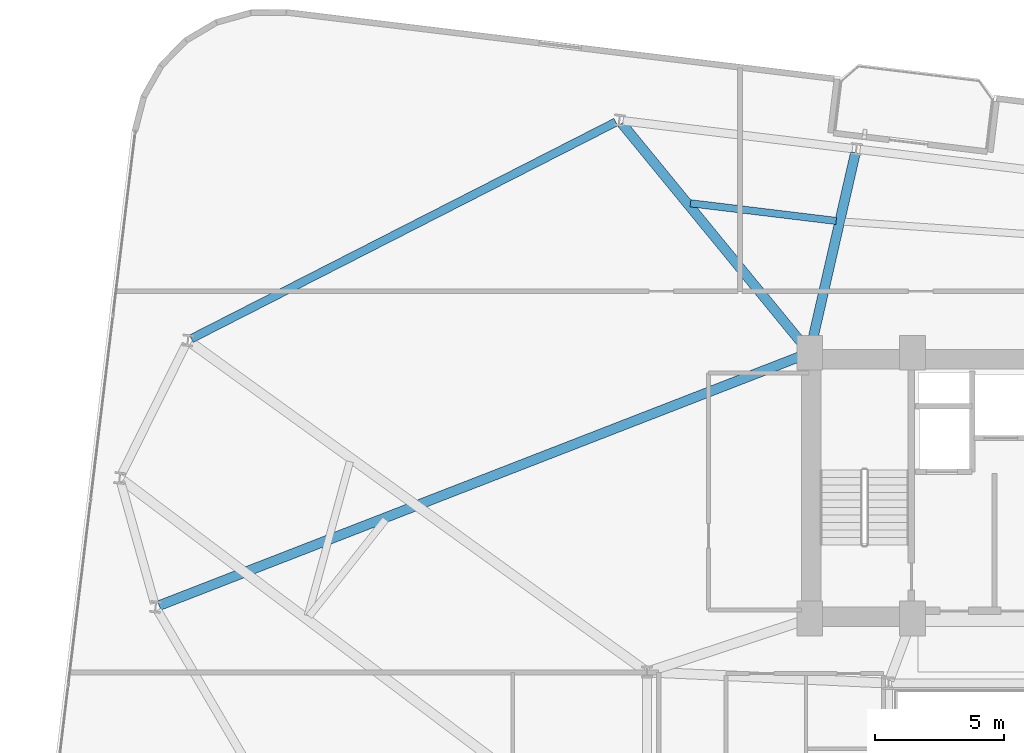
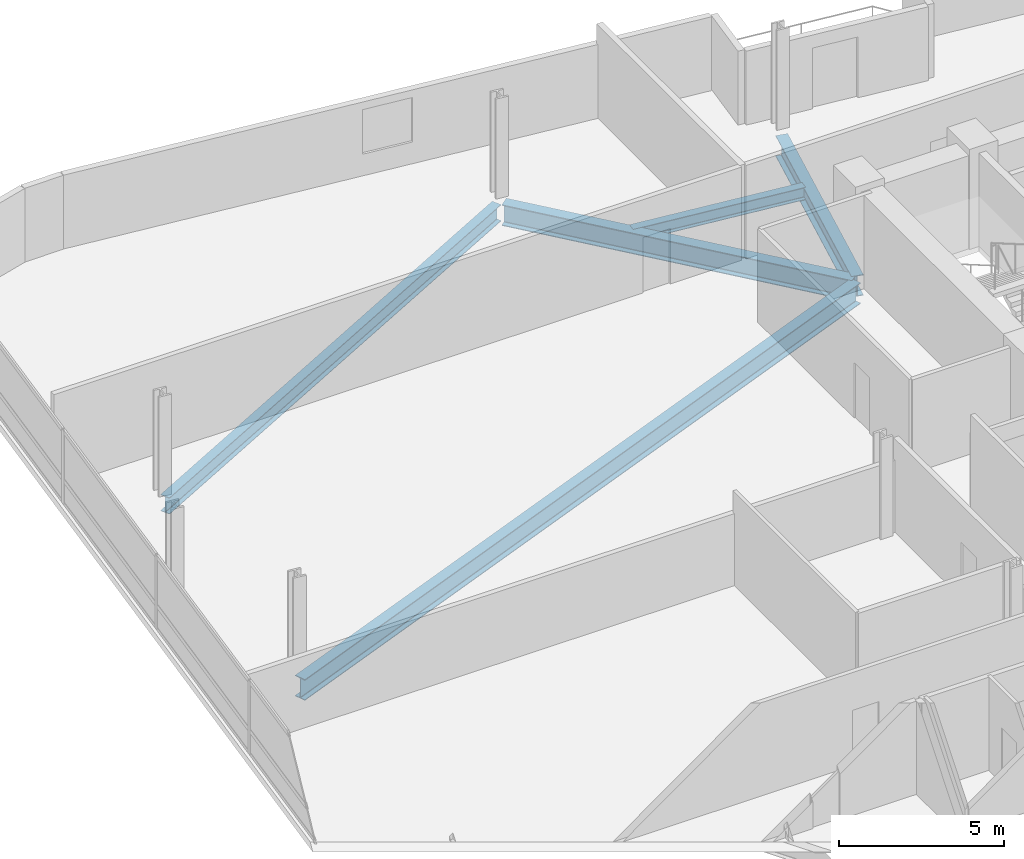
# One storey, part 11 of 25: 5 beams.
"""IFC4 building model written with IfcOpenShell, lengths in metres."""

from ifc_helpers import new_model, si_unit, direction, frame, origin, origin_2d, place, context, subcontext, project, spatial, i_section, extrude, material, material_profile, profile_set, type_object, element, save


model = new_model("IFC4")

# Units and contexts
model_context = context("Model", 3, precision=1e-05, world=origin(), true_north=direction((0.0, 1.0)))
body_context = subcontext(model_context, "Body", "Model", "MODEL_VIEW")
ifc_project = project(units=[si_unit("LENGTHUNIT", "METRE"), si_unit("AREAUNIT", "SQUARE_METRE"), si_unit("VOLUMEUNIT", "CUBIC_METRE"), si_unit("PLANEANGLEUNIT", "RADIAN"), si_unit("MASSUNIT", "GRAM", prefix="KILO")], contexts=[model_context])

# Site, building, storey
site_placement = place(None, origin())
site = spatial("IfcSite", under=ifc_project, at=site_placement, CompositionType="ELEMENT")
building_placement = place(site_placement, origin())
building = spatial("IfcBuilding", under=site, at=building_placement, Name="Varnelok Gate Tower", CompositionType="ELEMENT")
storey_placement = place(building_placement, frame((0.0, 0.0, 136.5)))
storey = spatial("IfcBuildingStorey", under=building, at=storey_placement, Name="L34", CompositionType="ELEMENT", Elevation=136.5)

# Beams
ifc_material = material(Name="Structural Steel ASTM A992 Grade 50", Category="steel")
ifc_material_profile_1 = material_profile(ifc_material, i_section(OverallWidth=0.280029296875, OverallDepth=0.462890625, WebThickness=0.0107421875, FlangeThickness=0.017333984375, FilletRadius=0.014892578125, at=origin_2d()), Name="W18X76")
ifc_profile_set_1 = profile_set([ifc_material_profile_1], Name="Structural Steel ASTM A992 Grade 50")
beam_type_1 = type_object("IfcBeamType", Name="BM-JST-W18X76", PredefinedType="JOIST", material=ifc_profile_set_1)
beam_1_placement = place(storey_placement, frame((31.725830078125, 44.15771484375, -0.4814453125), z_axis=(-0.992732072323, 0.12034547179, 0.0), x_axis=(-0.12034547179, -0.992732072323, 0.0)))
element("IfcBeam", 1, at=beam_1_placement, inside=storey, type_object=beam_type_1, Name="L34 Sector Floor Joist 10", PredefinedType="JOIST", context=body_context, shape_type="SweptSolid", body=[
    extrude(i_section(OverallWidth=0.280029296875, OverallDepth=0.462890625, WebThickness=0.0107421875, FlangeThickness=0.017333984375, FilletRadius=0.014892578125, at=origin_2d()), origin(), (0.0, 0.0, 1.0), 5.686279296875),
])
ifc_material_profile_2 = material_profile(ifc_material, i_section(OverallWidth=0.381103515625, OverallDepth=0.77294921875, WebThickness=0.0166015625, FlangeThickness=0.027099609375, FilletRadius=0.02197265625, at=origin_2d()), Name="W30X173")
ifc_profile_set_2 = profile_set([ifc_material_profile_2], Name="Structural Steel ASTM A992 Grade 50")
beam_type_2 = type_object("IfcBeamType", Name="BM-PRI-W30X173", PredefinedType="BEAM", material=ifc_profile_set_2)
beam_2_placement = place(storey_placement, frame((30.7333984375, 39.1962890625, -0.636474609375), z_axis=(0.223043307507, 0.974808536573, 0.0), x_axis=(-0.974808536573, 0.223043307507, 0.0)))
element("IfcBeam", 2, at=beam_2_placement, inside=storey, type_object=beam_type_2, Name="L34 Radial Floor Girder 12", PredefinedType="BEAM", context=body_context, shape_type="SweptSolid", body=[
    extrude(i_section(OverallWidth=0.381103515625, OverallDepth=0.77294921875, WebThickness=0.0166015625, FlangeThickness=0.027099609375, FilletRadius=0.02197265625, at=origin_2d()), origin(), (0.0, 0.0, 1.0), 7.796875),
])
beam_3_placement = place(storey_placement, frame((30.60498046875, 39.166015625, -0.636474609375), z_axis=(-0.633655000371, 0.773615757663, 0.0), x_axis=(-0.773615757663, -0.633655000371, 0.0)))
element("IfcBeam", 3, at=beam_3_placement, inside=storey, type_object=beam_type_2, Name="L34 Radial Floor Girder 13", PredefinedType="BEAM", context=body_context, shape_type="SweptSolid", body=[
    extrude(i_section(OverallWidth=0.381103515625, OverallDepth=0.77294921875, WebThickness=0.0166015625, FlangeThickness=0.027099609375, FilletRadius=0.02197265625, at=origin_2d()), origin(), (0.0, 0.0, 1.0), 11.341796875),
])
beam_4_placement = place(storey_placement, frame((30.560302734375, 38.99560546875, -0.636474609375), z_axis=(-0.93209869119, -0.362204403454, 0.0), x_axis=(0.362204403454, -0.93209869119, 0.0)))
element("IfcBeam", 4, at=beam_4_placement, inside=storey, type_object=beam_type_2, Name="L34 Radial Floor Girder 16", PredefinedType="BEAM", context=body_context, shape_type="SweptSolid", body=[
    extrude(i_section(OverallWidth=0.381103515625, OverallDepth=0.77294921875, WebThickness=0.0166015625, FlangeThickness=0.027099609375, FilletRadius=0.02197265625, at=origin_2d()), origin(), (0.0, 0.0, 1.0), 26.890869140625),
])
ifc_material_profile_3 = material_profile(ifc_material, i_section(OverallWidth=0.323974609375, OverallDepth=0.611083984375, WebThickness=0.0126953125, FlangeThickness=0.01904296875, FilletRadius=0.01806640625, at=origin_2d()), Name="W24X104")
ifc_profile_set_3 = profile_set([ifc_material_profile_3], Name="Structural Steel ASTM A992 Grade 50")
beam_type_3 = type_object("IfcBeamType", Name="BM-SPN-W24X104", PredefinedType="SPANDREL", material=ifc_profile_set_3)
beam_5_placement = place(storey_placement, frame((23.189697265625, 47.98779296875, -0.555419921875), z_axis=(-0.890729755615, -0.454533279819, 0.0), x_axis=(0.454533279819, -0.890729755615, 0.0)))
element("IfcBeam", 5, at=beam_5_placement, inside=storey, type_object=beam_type_3, Name="L34 Perimeter Spandrel Beam 13", PredefinedType="SPANDREL", context=body_context, shape_type="SweptSolid", body=[
    extrude(i_section(OverallWidth=0.323974609375, OverallDepth=0.611083984375, WebThickness=0.0126953125, FlangeThickness=0.01904296875, FilletRadius=0.01806640625, at=origin_2d()), origin(), (0.0, 0.0, 1.0), 18.466796875),
])

save(model, "model.ifc")
